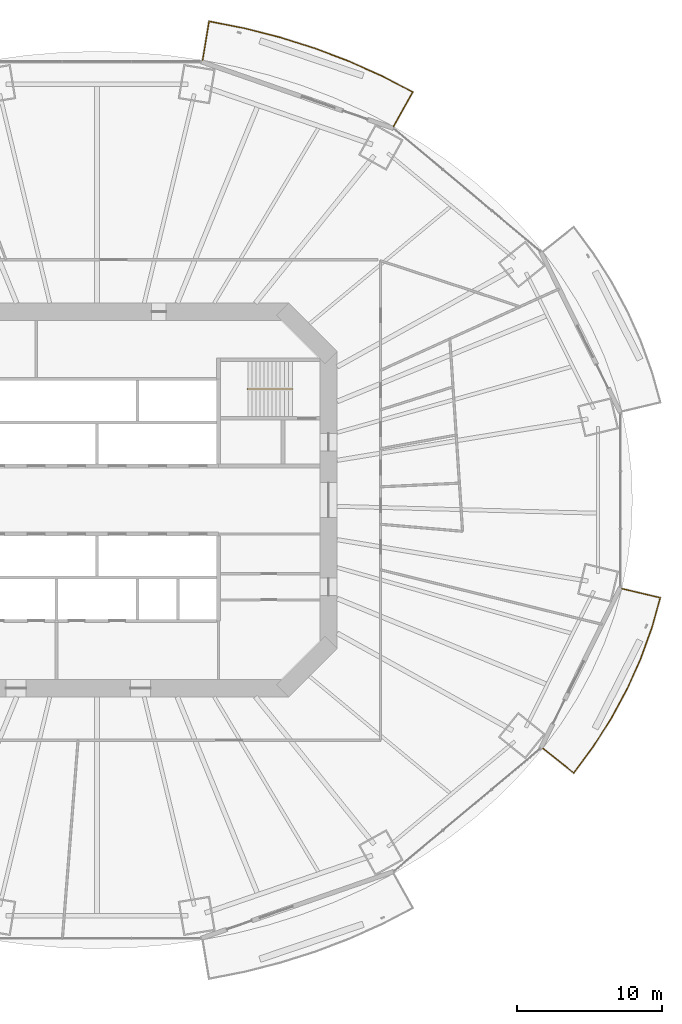
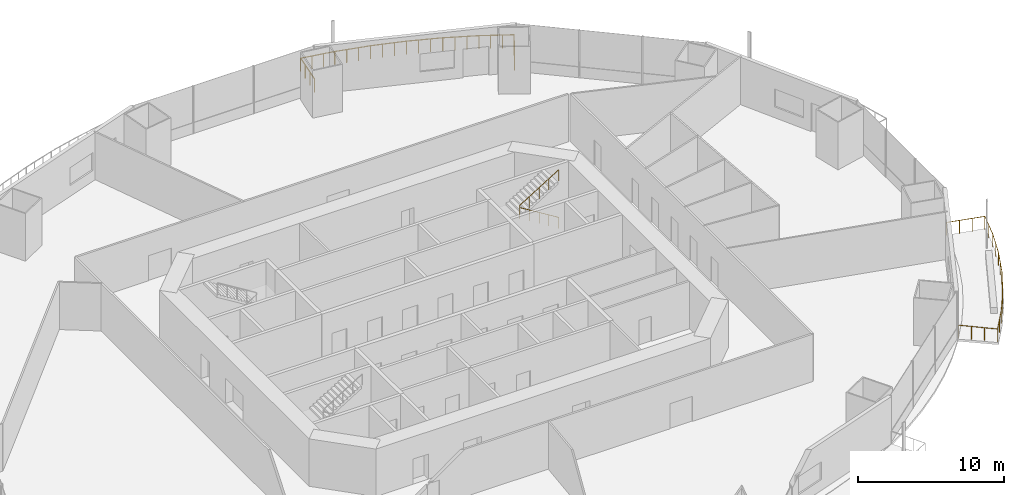
# One storey, part 21 of 23: 3 railings.
"""IFC4 building model written with IfcOpenShell, lengths in metres."""

from ifc_helpers import new_model, si_unit, direction, frame, origin, origin_2d, place, context, subcontext, project, spatial, circle, extrude, material, type_object, element, save


model = new_model("IFC4")

# Units and contexts
model_context = context("Model", 3, precision=1e-05, world=origin(), true_north=direction((0.0, 1.0)))
body_context = subcontext(model_context, "Body", "Model", "MODEL_VIEW")
ifc_project = project(units=[si_unit("LENGTHUNIT", "METRE"), si_unit("AREAUNIT", "SQUARE_METRE"), si_unit("VOLUMEUNIT", "CUBIC_METRE"), si_unit("PLANEANGLEUNIT", "RADIAN"), si_unit("MASSUNIT", "GRAM", prefix="KILO")], contexts=[model_context])

# Site, building, storey
site_placement = place(None, origin())
site = spatial("IfcSite", under=ifc_project, at=site_placement, CompositionType="ELEMENT")
building_placement = place(site_placement, origin())
building = spatial("IfcBuilding", under=site, at=building_placement, Name="Marenthal Gate Tower", CompositionType="ELEMENT")
storey_placement = place(building_placement, frame((0.0, 0.0, 41.300048828125)))
storey = spatial("IfcBuildingStorey", under=building, at=storey_placement, Name="L06", CompositionType="ELEMENT", Elevation=41.300048828125)

# Railings
ifc_material_1 = material(Name="Stainless steel", Category="steel")
railing_type_1 = type_object("IfcRailingType", Name="Balcony guard 1100", PredefinedType="GUARDRAIL", material=ifc_material_1)
railing_1_placement = place(storey_placement, frame((7.297119140625, 30.39111328125, 0.0)))
element("IfcRailing", 1, at=railing_1_placement, inside=storey, type_object=railing_type_1, Name="Balcony guard L06 bay 3", PredefinedType="GUARDRAIL", context=body_context, shape_type="SweptSolid", body=[
    extrude(circle(Radius=0.02392578125, at=origin_2d()), frame((0.0, 0.0, 1.076171875), z_axis=(0.164512163182, 0.986265227064, -0.014719036968), x_axis=(-0.986372081632, 0.164529986862, 0.0)), (0.0, 0.0, 1.0), 2.72021484375),
    extrude(circle(Radius=0.02392578125, at=origin_2d()), frame((0.447509765625, 2.682861328125, 1.0361328125), z_axis=(0.981295113893, -0.192509478854, 0.0), x_axis=(0.192509478854, 0.981295113893, 0.0)), (0.0, 0.0, 1.0), 2.474365234375),
    extrude(circle(Radius=0.02392578125, at=origin_2d()), frame((2.87548828125, 2.20654296875, 1.0361328125), z_axis=(0.969175134663, -0.246372803593, 0.0), x_axis=(0.246372803593, 0.969175134663, 0.0)), (0.0, 0.0, 1.0), 2.543701171875),
    extrude(circle(Radius=0.02392578125, at=origin_2d()), frame((5.3408203125, 1.579833984375, 1.0361328125), z_axis=(0.953699220219, -0.300762027778, 0.0), x_axis=(0.300762027778, 0.953699220219, 0.0)), (0.0, 0.0, 1.0), 2.531005859375),
    extrude(circle(Radius=0.02392578125, at=origin_2d()), frame((7.754638671875, 0.818603515625, 1.0361328125), z_axis=(0.934889862007, -0.354937946572, 0.0), x_axis=(0.354937946572, 0.934889862007, 0.0)), (0.0, 0.0, 1.0), 2.51611328125),
    extrude(circle(Radius=0.02392578125, at=origin_2d()), frame((10.10693359375, -0.074462890625, 1.0361328125), z_axis=(0.912627469977, -0.4087922468, 0.0), x_axis=(0.4087922468, 0.912627469977, 0.0)), (0.0, 0.0, 1.0), 2.499267578125),
    extrude(circle(Radius=0.02392578125, at=origin_2d()), frame((12.387939453125, -1.09619140625, 1.0361328125), z_axis=(0.887343289023, -0.461109409387, 0.0), x_axis=(0.461109409387, 0.887343289023, 0.0)), (0.0, 0.0, 1.0), 2.401123046875),
    extrude(circle(Radius=0.02392578125, at=origin_2d()), frame((14.5185546875, -2.203369140625, 1.0361328125), z_axis=(-0.488673415611, -0.872342626214, 0.014718538138), x_axis=(0.872437131701, -0.488726356184, 0.0)), (0.0, 0.0, 1.0), 2.72021484375),
    extrude(circle(Radius=0.02099609375, at=origin_2d()), origin(), (0.0, 0.0, 1.0), 1.052001953125),
    extrude(circle(Radius=0.02099609375, at=origin_2d()), frame((0.149169921875, 0.894287109375, -0.013427734375)), (0.0, 0.0, 1.0), 1.052001953125),
    extrude(circle(Radius=0.02099609375, at=origin_2d()), frame((0.29833984375, 1.78857421875, -0.026611328125)), (0.0, 0.0, 1.0), 1.052001953125),
    extrude(circle(Radius=0.02099609375, at=origin_2d()), frame((0.447509765625, 2.682861328125, -0.0400390625)), (0.0, 0.0, 1.0), 1.052001953125),
    extrude(circle(Radius=0.02099609375, at=origin_2d()), frame((1.2568359375, 2.524169921875, -0.0400390625)), (0.0, 0.0, 1.0), 1.052001953125),
    extrude(circle(Radius=0.02099609375, at=origin_2d()), frame((2.066162109375, 2.365234375, -0.0400390625)), (0.0, 0.0, 1.0), 1.052001953125),
    extrude(circle(Radius=0.02099609375, at=origin_2d()), frame((2.87548828125, 2.20654296875, -0.0400390625)), (0.0, 0.0, 1.0), 1.052001953125),
    extrude(circle(Radius=0.02099609375, at=origin_2d()), frame((3.697265625, 1.99755859375, -0.0400390625)), (0.0, 0.0, 1.0), 1.052001953125),
    extrude(circle(Radius=0.02099609375, at=origin_2d()), frame((4.51904296875, 1.788818359375, -0.0400390625)), (0.0, 0.0, 1.0), 1.052001953125),
    extrude(circle(Radius=0.02099609375, at=origin_2d()), frame((5.3408203125, 1.579833984375, -0.0400390625)), (0.0, 0.0, 1.0), 1.052001953125),
    extrude(circle(Radius=0.02099609375, at=origin_2d()), frame((6.1455078125, 1.326171875, -0.0400390625)), (0.0, 0.0, 1.0), 1.052001953125),
    extrude(circle(Radius=0.02099609375, at=origin_2d()), frame((6.949951171875, 1.072265625, -0.0400390625)), (0.0, 0.0, 1.0), 1.052001953125),
    extrude(circle(Radius=0.02099609375, at=origin_2d()), frame((7.754638671875, 0.818603515625, -0.0400390625)), (0.0, 0.0, 1.0), 1.052001953125),
    extrude(circle(Radius=0.02099609375, at=origin_2d()), frame((8.538818359375, 0.52099609375, -0.0400390625)), (0.0, 0.0, 1.0), 1.052001953125),
    extrude(circle(Radius=0.02099609375, at=origin_2d()), frame((9.32275390625, 0.22314453125, -0.0400390625)), (0.0, 0.0, 1.0), 1.052001953125),
    extrude(circle(Radius=0.02099609375, at=origin_2d()), frame((10.10693359375, -0.074462890625, -0.0400390625)), (0.0, 0.0, 1.0), 1.052001953125),
    extrude(circle(Radius=0.02099609375, at=origin_2d()), frame((10.8671875, -0.4150390625, -0.0400390625)), (0.0, 0.0, 1.0), 1.052001953125),
    extrude(circle(Radius=0.02099609375, at=origin_2d()), frame((11.627685546875, -0.755615234375, -0.0400390625)), (0.0, 0.0, 1.0), 1.052001953125),
    extrude(circle(Radius=0.02099609375, at=origin_2d()), frame((12.387939453125, -1.09619140625, -0.0400390625)), (0.0, 0.0, 1.0), 1.052001953125),
    extrude(circle(Radius=0.02099609375, at=origin_2d()), frame((13.09814453125, -1.46533203125, -0.0400390625)), (0.0, 0.0, 1.0), 1.052001953125),
    extrude(circle(Radius=0.02099609375, at=origin_2d()), frame((13.808349609375, -1.834228515625, -0.0400390625)), (0.0, 0.0, 1.0), 1.052001953125),
    extrude(circle(Radius=0.02099609375, at=origin_2d()), frame((14.5185546875, -2.203369140625, -0.0400390625)), (0.0, 0.0, 1.0), 1.052001953125),
    extrude(circle(Radius=0.02099609375, at=origin_2d()), frame((14.075439453125, -2.994384765625, -0.026611328125)), (0.0, 0.0, 1.0), 1.052001953125),
    extrude(circle(Radius=0.02099609375, at=origin_2d()), frame((13.63232421875, -3.785400390625, -0.013427734375)), (0.0, 0.0, 1.0), 1.052001953125),
    extrude(circle(Radius=0.02099609375, at=origin_2d()), frame((13.189208984375, -4.576416015625, 0.0)), (0.0, 0.0, 1.0), 1.052001953125),
])
railing_2_placement = place(storey_placement, frame((36.2705078125, -6.125732421875, 0.0)))
element("IfcRailing", 2, at=railing_2_placement, inside=storey, type_object=railing_type_1, Name="Balcony guard L06 bay 15", PredefinedType="GUARDRAIL", context=body_context, shape_type="SweptSolid", body=[
    extrude(circle(Radius=0.02392578125, at=origin_2d()), frame((0.0, 0.0, 1.076171875), z_axis=(0.972906523904, -0.230729884047, -0.014717892254), x_axis=(0.230754878041, 0.973011914758, 0.0)), (0.0, 0.0, 1.0), 2.720458984375),
    extrude(circle(Radius=0.02392578125, at=origin_2d()), frame((2.646728515625, -0.627685546875, 1.0361328125), z_axis=(-0.269417915844, -0.963023357257, 0.0), x_axis=(0.963023357257, -0.269417915844, 0.0)), (0.0, 0.0, 1.0), 2.178466796875),
    extrude(circle(Radius=0.02392578125, at=origin_2d()), frame((2.059814453125, -2.7255859375, 1.0361328125), z_axis=(-0.340490278663, -0.940248036497, 0.0), x_axis=(0.940248036497, -0.340490278663, 0.0)), (0.0, 0.0, 1.0), 2.269287109375),
    extrude(circle(Radius=0.02392578125, at=origin_2d()), frame((1.287109375, -4.859375, 1.0361328125), z_axis=(-0.40965760042, -0.912239360266, 0.0), x_axis=(0.912239360266, -0.40965760042, 0.0)), (0.0, 0.0, 1.0), 2.283203125),
    extrude(circle(Radius=0.02392578125, at=origin_2d()), frame((0.351806640625, -6.942138671875, 1.0361328125), z_axis=(-0.47570140033, -0.879606831331, 0.0), x_axis=(0.879606831331, -0.47570140033, 0.0)), (0.0, 0.0, 1.0), 2.298828125),
    extrude(circle(Radius=0.02392578125, at=origin_2d()), frame((-0.74169921875, -8.964111328125, 1.0361328125), z_axis=(-0.537802777327, -0.843070680726, 0.0), x_axis=(0.843070680726, -0.537802777327, 0.0)), (0.0, 0.0, 1.0), 2.316162109375),
    extrude(circle(Radius=0.02392578125, at=origin_2d()), frame((-1.9873046875, -10.916748046875, 1.0361328125), z_axis=(-0.59494792191, -0.803764250396, 0.0), x_axis=(0.803764250396, -0.59494792191, 0.0)), (0.0, 0.0, 1.0), 2.25537109375),
    extrude(circle(Radius=0.02392578125, at=origin_2d()), frame((-3.3291015625, -12.7294921875, 1.0361328125), z_axis=(-0.781982350804, 0.623126760201, 0.014718823084), x_axis=(-0.62319426943, -0.782067070365, 0.0)), (0.0, 0.0, 1.0), 2.72021484375),
    extrude(circle(Radius=0.02099609375, at=origin_2d()), origin(), (0.0, 0.0, 1.0), 1.052001953125),
    extrude(circle(Radius=0.02099609375, at=origin_2d()), frame((0.88232421875, -0.209228515625, -0.013427734375)), (0.0, 0.0, 1.0), 1.052001953125),
    extrude(circle(Radius=0.02099609375, at=origin_2d()), frame((1.764404296875, -0.41845703125, -0.026611328125)), (0.0, 0.0, 1.0), 1.052001953125),
    extrude(circle(Radius=0.02099609375, at=origin_2d()), frame((2.646728515625, -0.627685546875, -0.0400390625)), (0.0, 0.0, 1.0), 1.052001953125),
    extrude(circle(Radius=0.02099609375, at=origin_2d()), frame((2.353271484375, -1.6767578125, -0.0400390625)), (0.0, 0.0, 1.0), 1.052001953125),
    extrude(circle(Radius=0.02099609375, at=origin_2d()), frame((2.059814453125, -2.7255859375, -0.0400390625)), (0.0, 0.0, 1.0), 1.052001953125),
    extrude(circle(Radius=0.02099609375, at=origin_2d()), frame((1.67333984375, -3.79248046875, -0.0400390625)), (0.0, 0.0, 1.0), 1.052001953125),
    extrude(circle(Radius=0.02099609375, at=origin_2d()), frame((1.287109375, -4.859375, -0.0400390625)), (0.0, 0.0, 1.0), 1.052001953125),
    extrude(circle(Radius=0.02099609375, at=origin_2d()), frame((0.8193359375, -5.90087890625, -0.0400390625)), (0.0, 0.0, 1.0), 1.052001953125),
    extrude(circle(Radius=0.02099609375, at=origin_2d()), frame((0.351806640625, -6.942138671875, -0.0400390625)), (0.0, 0.0, 1.0), 1.052001953125),
    extrude(circle(Radius=0.02099609375, at=origin_2d()), frame((-0.19482421875, -7.953125, -0.0400390625)), (0.0, 0.0, 1.0), 1.052001953125),
    extrude(circle(Radius=0.02099609375, at=origin_2d()), frame((-0.74169921875, -8.964111328125, -0.0400390625)), (0.0, 0.0, 1.0), 1.052001953125),
    extrude(circle(Radius=0.02099609375, at=origin_2d()), frame((-1.364501953125, -9.9404296875, -0.0400390625)), (0.0, 0.0, 1.0), 1.052001953125),
    extrude(circle(Radius=0.02099609375, at=origin_2d()), frame((-1.9873046875, -10.916748046875, -0.0400390625)), (0.0, 0.0, 1.0), 1.052001953125),
    extrude(circle(Radius=0.02099609375, at=origin_2d()), frame((-2.658203125, -11.8232421875, -0.0400390625)), (0.0, 0.0, 1.0), 1.052001953125),
    extrude(circle(Radius=0.02099609375, at=origin_2d()), frame((-3.3291015625, -12.7294921875, -0.0400390625)), (0.0, 0.0, 1.0), 1.052001953125),
    extrude(circle(Radius=0.02099609375, at=origin_2d()), frame((-4.0380859375, -12.16455078125, -0.026611328125)), (0.0, 0.0, 1.0), 1.052001953125),
    extrude(circle(Radius=0.02099609375, at=origin_2d()), frame((-4.747314453125, -11.599365234375, -0.013427734375)), (0.0, 0.0, 1.0), 1.052001953125),
    extrude(circle(Radius=0.02099609375, at=origin_2d()), frame((-5.456298828125, -11.034423828125, 0.0)), (0.0, 0.0, 1.0), 1.052001953125),
])
ifc_material_2 = material(Name="Stainless steel", Category="steel")
railing_type_2 = type_object("IfcRailingType", Name="Stair handrail", PredefinedType="HANDRAIL", material=ifc_material_2)
railing_3_placement = place(storey_placement, frame((13.5, 7.675048828125, 0.1728515625)))
element("IfcRailing", 3, at=railing_3_placement, inside=storey, type_object=railing_type_2, Name="Handrail ST3", PredefinedType="HANDRAIL", context=body_context, shape_type="SweptSolid", body=[
    extrude(circle(Radius=0.0224609375, at=origin_2d()), frame((0.0, 0.0, 0.927490234375), z_axis=(-0.850835241893, 0.0, 0.525432575268), x_axis=(0.0, -1.0, 0.0)), (0.0, 0.0, 1.0), 3.6201171875),
    extrude(circle(Radius=0.0224609375, at=origin_2d()), frame((-3.080078125, 0.0, 2.82958984375), z_axis=(0.0, 0.0, 1.0), x_axis=(1.0, 0.0, 0.0)), (0.0, 0.0, 1.0), 0.1728515625),
    extrude(circle(Radius=0.0224609375, at=origin_2d()), frame((-3.080078125, 0.0, 3.00244140625), z_axis=(0.850835241893, 0.0, 0.525432575268), x_axis=(0.0, 1.0, 0.0)), (0.0, 0.0, 1.0), 3.6201171875),
    extrude(circle(Radius=0.02001953125, at=origin_2d()), origin(), (0.0, 0.0, 1.0), 0.905029296875),
    extrude(circle(Radius=0.02001953125, at=origin_2d()), frame((-0.77001953125, 0.0, 0.4755859375)), (0.0, 0.0, 1.0), 0.905029296875),
    extrude(circle(Radius=0.02001953125, at=origin_2d()), frame((-1.5400390625, 0.0, 0.951171875)), (0.0, 0.0, 1.0), 0.905029296875),
    extrude(circle(Radius=0.02001953125, at=origin_2d()), frame((-2.31005859375, 0.0, 1.426513671875)), (0.0, 0.0, 1.0), 0.905029296875),
    extrude(circle(Radius=0.02001953125, at=origin_2d()), frame((-3.080078125, 0.0, 1.902099609375)), (0.0, 0.0, 1.0), 0.905029296875),
    extrude(circle(Radius=0.02001953125, at=origin_2d()), frame((-3.080078125, 0.0, 2.074951171875)), (0.0, 0.0, 1.0), 0.905029296875),
    extrude(circle(Radius=0.02001953125, at=origin_2d()), frame((-2.31005859375, 0.0, 2.550537109375)), (0.0, 0.0, 1.0), 0.905029296875),
    extrude(circle(Radius=0.02001953125, at=origin_2d()), frame((-1.5400390625, 0.0, 3.02587890625)), (0.0, 0.0, 1.0), 0.905029296875),
    extrude(circle(Radius=0.02001953125, at=origin_2d()), frame((-0.77001953125, 0.0, 3.50146484375)), (0.0, 0.0, 1.0), 0.905029296875),
    extrude(circle(Radius=0.02001953125, at=origin_2d()), frame((0.0, 0.0, 3.97705078125)), (0.0, 0.0, 1.0), 0.905029296875),
])

save(model, "model.ifc")
